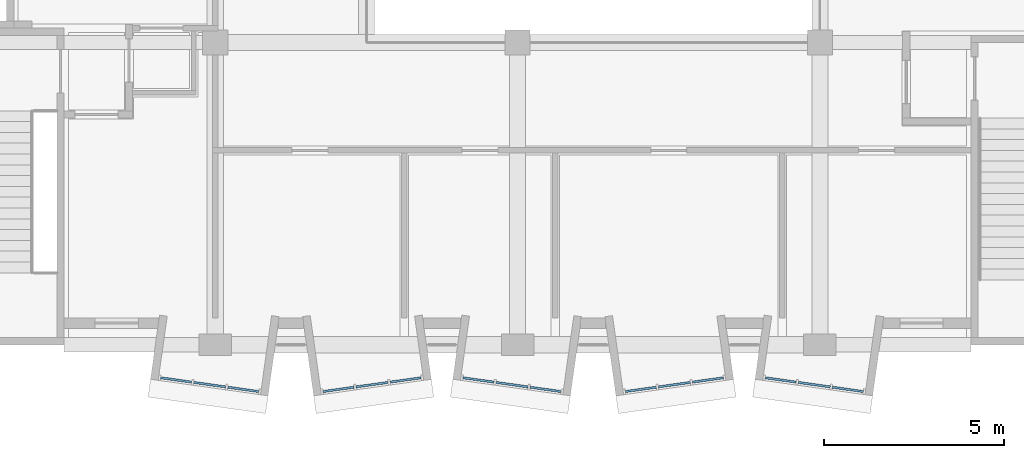
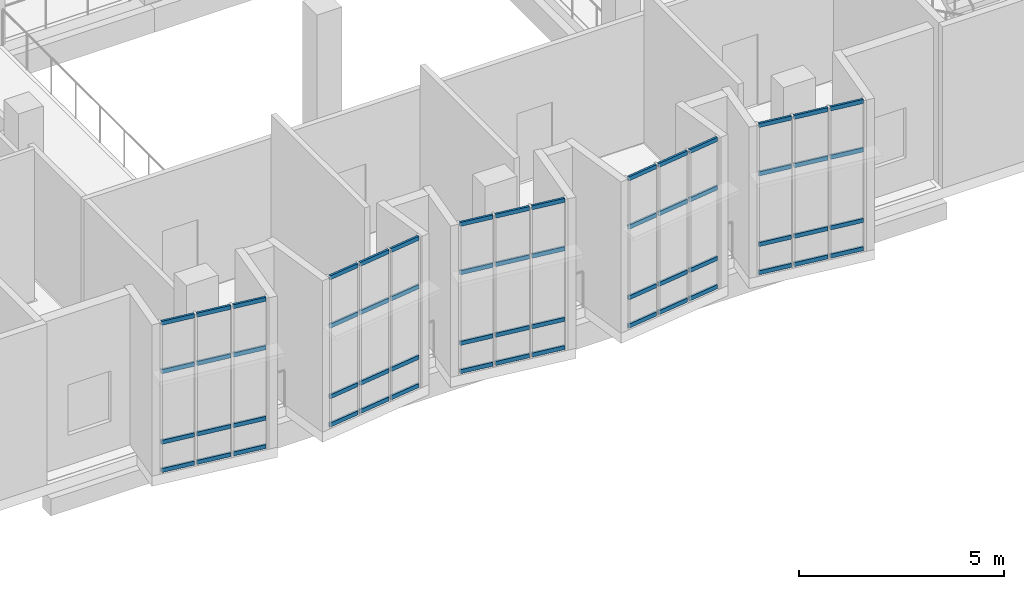
# One storey, part 27 of 67: 60 members, 5 elements without a shape of their own.
"""IFC4 building model written with IfcOpenShell, lengths in metres."""

from ifc_helpers import new_model, si_unit, direction, frame, origin, origin_2d, place, context, subcontext, project, spatial, rectangle, extrude, material, layer, layer_set, material_profile, profile_set, type_object, element, aggregate, save


model = new_model("IFC4")

# Units and contexts
model_context = context("Model", 3, precision=1e-05, world=origin(), true_north=direction((0.0, 1.0)))
body_context = subcontext(model_context, "Body", "Model", "MODEL_VIEW")
ifc_project = project(units=[si_unit("LENGTHUNIT", "METRE"), si_unit("AREAUNIT", "SQUARE_METRE"), si_unit("VOLUMEUNIT", "CUBIC_METRE"), si_unit("PLANEANGLEUNIT", "RADIAN"), si_unit("MASSUNIT", "GRAM", prefix="KILO")], contexts=[model_context])

# Site, building, storey
site_placement = place(None, origin())
site = spatial("IfcSite", under=ifc_project, at=site_placement, CompositionType="ELEMENT")
building_placement = place(site_placement, origin())
building = spatial("IfcBuilding", under=site, at=building_placement, Name="Kiln Court Media Centre", CompositionType="ELEMENT")
storey_placement = place(building_placement, frame((0.0, 0.0, 19.800048828125)))
storey = spatial("IfcBuildingStorey", under=building, at=storey_placement, Name="L04", CompositionType="ELEMENT", Elevation=19.800048828125)

# Curtain wall, members
ifc_material_1 = material(Name="Aluminium 6063-T6", Category="aluminium")
ifc_layer = layer(ifc_material_1, 0.1201171875)
ifc_layer_set = layer_set([ifc_layer], Name="Aluminium unitised bay curtain wall")
curtain_wall_type = type_object("IfcCurtainWallType", Name="Aluminium unitised bay curtain wall", PredefinedType="USERDEFINED", material=ifc_layer_set)
curtain_wall_1_placement = place(storey_placement, origin())
curtain_wall_1 = element("IfcCurtainWall", 1, at=curtain_wall_1_placement, inside=storey, type_object=curtain_wall_type, Name="BAY V6A-S-L04-25 front", ObjectType="UNITISED CURTAIN WALL", PredefinedType="USERDEFINED")
ifc_material_2 = material(Name="Aluminium 6063-T6", Category="aluminium")
ifc_material_profile = material_profile(ifc_material_2, rectangle(XDim=0.06005859375, YDim=0.1201171875, at=origin_2d()), Name="Aluminium transom 60x120")
ifc_profile_set = profile_set([ifc_material_profile], Name="Aluminium 6063-T6")
member_type = type_object("IfcMemberType", Name="Aluminium transom 60x120", PredefinedType="USERDEFINED", material=ifc_profile_set)
member_1_placement = place(storey_placement, frame((6.882568359375, -0.917724609375, 0.06005859375), z_axis=(0.990268108888, -0.139172815303, 0.0), x_axis=(0.139172815303, 0.990268108888, 0.0)))
member_1 = element("IfcMember", 2, at=member_1_placement, type_object=member_type, Name="CW4-08 transom 1.1", ObjectType="TRANSOM", PredefinedType="USERDEFINED", context=body_context, shape_type="SweptSolid", body=[
    extrude(rectangle(XDim=0.06005859375, YDim=0.1201171875, at=origin_2d()), origin(), (0.0, 0.0, 1.0), 0.86669921875),
])
member_2_placement = place(storey_placement, frame((6.882568359375, -0.917724609375, 0.89990234375), z_axis=(0.990268108888, -0.139172815303, 0.0), x_axis=(0.139172815303, 0.990268108888, 0.0)))
member_2 = element("IfcMember", 3, at=member_2_placement, type_object=member_type, Name="CW4-08 transom 1.2", ObjectType="TRANSOM", PredefinedType="USERDEFINED", context=body_context, shape_type="SweptSolid", body=[
    extrude(rectangle(XDim=0.06005859375, YDim=0.1201171875, at=origin_2d()), origin(), (0.0, 0.0, 1.0), 0.86669921875),
])
member_3_placement = place(storey_placement, frame((6.882568359375, -0.917724609375, 3.0), z_axis=(0.990268108888, -0.139172815303, 0.0), x_axis=(0.139172815303, 0.990268108888, 0.0)))
member_3 = element("IfcMember", 4, at=member_3_placement, type_object=member_type, Name="CW4-08 transom 1.3", ObjectType="TRANSOM", PredefinedType="USERDEFINED", context=body_context, shape_type="SweptSolid", body=[
    extrude(rectangle(XDim=0.06005859375, YDim=0.1201171875, at=origin_2d()), origin(), (0.0, 0.0, 1.0), 0.86669921875),
])
member_4_placement = place(storey_placement, frame((6.882568359375, -0.917724609375, 4.43994140625), z_axis=(0.990268108888, -0.139172815303, 0.0), x_axis=(0.139172815303, 0.990268108888, 0.0)))
member_4 = element("IfcMember", 5, at=member_4_placement, type_object=member_type, Name="CW4-08 transom 1.4", ObjectType="TRANSOM", PredefinedType="USERDEFINED", context=body_context, shape_type="SweptSolid", body=[
    extrude(rectangle(XDim=0.06005859375, YDim=0.1201171875, at=origin_2d()), origin(), (0.0, 0.0, 1.0), 0.86669921875),
])
member_5_placement = place(storey_placement, frame((7.80029296875, -1.046630859375, 0.06005859375), z_axis=(0.990273584723, -0.13913384707, 0.0), x_axis=(0.13913384707, 0.990273584723, 0.0)))
member_5 = element("IfcMember", 6, at=member_5_placement, type_object=member_type, Name="CW4-08 transom 2.1", ObjectType="TRANSOM", PredefinedType="USERDEFINED", context=body_context, shape_type="SweptSolid", body=[
    extrude(rectangle(XDim=0.06005859375, YDim=0.1201171875, at=origin_2d()), origin(), (0.0, 0.0, 1.0), 0.896728515625),
])
member_6_placement = place(storey_placement, frame((7.80029296875, -1.046630859375, 0.89990234375), z_axis=(0.990273584723, -0.13913384707, 0.0), x_axis=(0.13913384707, 0.990273584723, 0.0)))
member_6 = element("IfcMember", 7, at=member_6_placement, type_object=member_type, Name="CW4-08 transom 2.2", ObjectType="TRANSOM", PredefinedType="USERDEFINED", context=body_context, shape_type="SweptSolid", body=[
    extrude(rectangle(XDim=0.06005859375, YDim=0.1201171875, at=origin_2d()), origin(), (0.0, 0.0, 1.0), 0.896728515625),
])
member_7_placement = place(storey_placement, frame((7.80029296875, -1.046630859375, 3.0), z_axis=(0.990273584723, -0.13913384707, 0.0), x_axis=(0.13913384707, 0.990273584723, 0.0)))
member_7 = element("IfcMember", 8, at=member_7_placement, type_object=member_type, Name="CW4-08 transom 2.3", ObjectType="TRANSOM", PredefinedType="USERDEFINED", context=body_context, shape_type="SweptSolid", body=[
    extrude(rectangle(XDim=0.06005859375, YDim=0.1201171875, at=origin_2d()), origin(), (0.0, 0.0, 1.0), 0.896728515625),
])
member_8_placement = place(storey_placement, frame((7.80029296875, -1.046630859375, 4.43994140625), z_axis=(0.990273584723, -0.13913384707, 0.0), x_axis=(0.13913384707, 0.990273584723, 0.0)))
member_8 = element("IfcMember", 9, at=member_8_placement, type_object=member_type, Name="CW4-08 transom 2.4", ObjectType="TRANSOM", PredefinedType="USERDEFINED", context=body_context, shape_type="SweptSolid", body=[
    extrude(rectangle(XDim=0.06005859375, YDim=0.1201171875, at=origin_2d()), origin(), (0.0, 0.0, 1.0), 0.896728515625),
])
member_9_placement = place(storey_placement, frame((8.74755859375, -1.179931640625, 0.06005859375), z_axis=(0.990268108888, -0.139172815303, 0.0), x_axis=(0.139172815303, 0.990268108888, 0.0)))
member_9 = element("IfcMember", 10, at=member_9_placement, type_object=member_type, Name="CW4-08 transom 3.1", ObjectType="TRANSOM", PredefinedType="USERDEFINED", context=body_context, shape_type="SweptSolid", body=[
    extrude(rectangle(XDim=0.06005859375, YDim=0.1201171875, at=origin_2d()), origin(), (0.0, 0.0, 1.0), 0.86669921875),
])
member_10_placement = place(storey_placement, frame((8.74755859375, -1.179931640625, 0.89990234375), z_axis=(0.990268108888, -0.139172815303, 0.0), x_axis=(0.139172815303, 0.990268108888, 0.0)))
member_10 = element("IfcMember", 11, at=member_10_placement, type_object=member_type, Name="CW4-08 transom 3.2", ObjectType="TRANSOM", PredefinedType="USERDEFINED", context=body_context, shape_type="SweptSolid", body=[
    extrude(rectangle(XDim=0.06005859375, YDim=0.1201171875, at=origin_2d()), origin(), (0.0, 0.0, 1.0), 0.86669921875),
])
member_11_placement = place(storey_placement, frame((8.74755859375, -1.179931640625, 3.0), z_axis=(0.990268108888, -0.139172815303, 0.0), x_axis=(0.139172815303, 0.990268108888, 0.0)))
member_11 = element("IfcMember", 12, at=member_11_placement, type_object=member_type, Name="CW4-08 transom 3.3", ObjectType="TRANSOM", PredefinedType="USERDEFINED", context=body_context, shape_type="SweptSolid", body=[
    extrude(rectangle(XDim=0.06005859375, YDim=0.1201171875, at=origin_2d()), origin(), (0.0, 0.0, 1.0), 0.86669921875),
])
member_12_placement = place(storey_placement, frame((8.74755859375, -1.179931640625, 4.43994140625), z_axis=(0.990268108888, -0.139172815303, 0.0), x_axis=(0.139172815303, 0.990268108888, 0.0)))
member_12 = element("IfcMember", 13, at=member_12_placement, type_object=member_type, Name="CW4-08 transom 3.4", ObjectType="TRANSOM", PredefinedType="USERDEFINED", context=body_context, shape_type="SweptSolid", body=[
    extrude(rectangle(XDim=0.06005859375, YDim=0.1201171875, at=origin_2d()), origin(), (0.0, 0.0, 1.0), 0.86669921875),
])
aggregate(curtain_wall_1, [member_1, member_2, member_3, member_4, member_5, member_6, member_7, member_8, member_9, member_10, member_11, member_12])

curtain_wall_2_placement = place(storey_placement, origin())
curtain_wall_2 = element("IfcCurtainWall", 14, at=curtain_wall_2_placement, inside=storey, type_object=curtain_wall_type, Name="BAY V6A-S-L04-26 front", ObjectType="UNITISED CURTAIN WALL", PredefinedType="USERDEFINED")
member_13_placement = place(storey_placement, frame((11.394287109375, -1.300537109375, 0.06005859375), z_axis=(0.990268108888, 0.139172815303, 0.0), x_axis=(-0.139172815303, 0.990268108888, 0.0)))
member_13 = element("IfcMember", 15, at=member_13_placement, type_object=member_type, Name="CW4-09 transom 1.1", ObjectType="TRANSOM", PredefinedType="USERDEFINED", context=body_context, shape_type="SweptSolid", body=[
    extrude(rectangle(XDim=0.06005859375, YDim=0.1201171875, at=origin_2d()), origin(), (0.0, 0.0, 1.0), 0.86669921875),
])
member_14_placement = place(storey_placement, frame((11.394287109375, -1.300537109375, 0.89990234375), z_axis=(0.990268108888, 0.139172815303, 0.0), x_axis=(-0.139172815303, 0.990268108888, 0.0)))
member_14 = element("IfcMember", 16, at=member_14_placement, type_object=member_type, Name="CW4-09 transom 1.2", ObjectType="TRANSOM", PredefinedType="USERDEFINED", context=body_context, shape_type="SweptSolid", body=[
    extrude(rectangle(XDim=0.06005859375, YDim=0.1201171875, at=origin_2d()), origin(), (0.0, 0.0, 1.0), 0.86669921875),
])
member_15_placement = place(storey_placement, frame((11.394287109375, -1.300537109375, 3.0), z_axis=(0.990268108888, 0.139172815303, 0.0), x_axis=(-0.139172815303, 0.990268108888, 0.0)))
member_15 = element("IfcMember", 17, at=member_15_placement, type_object=member_type, Name="CW4-09 transom 1.3", ObjectType="TRANSOM", PredefinedType="USERDEFINED", context=body_context, shape_type="SweptSolid", body=[
    extrude(rectangle(XDim=0.06005859375, YDim=0.1201171875, at=origin_2d()), origin(), (0.0, 0.0, 1.0), 0.86669921875),
])
member_16_placement = place(storey_placement, frame((11.394287109375, -1.300537109375, 4.43994140625), z_axis=(0.990268108888, 0.139172815303, 0.0), x_axis=(-0.139172815303, 0.990268108888, 0.0)))
member_16 = element("IfcMember", 18, at=member_16_placement, type_object=member_type, Name="CW4-09 transom 1.4", ObjectType="TRANSOM", PredefinedType="USERDEFINED", context=body_context, shape_type="SweptSolid", body=[
    extrude(rectangle(XDim=0.06005859375, YDim=0.1201171875, at=origin_2d()), origin(), (0.0, 0.0, 1.0), 0.86669921875),
])
member_17_placement = place(storey_placement, frame((12.311767578125, -1.17138671875, 0.06005859375), z_axis=(0.990273584723, 0.13913384707, 0.0), x_axis=(-0.13913384707, 0.990273584723, 0.0)))
member_17 = element("IfcMember", 19, at=member_17_placement, type_object=member_type, Name="CW4-09 transom 2.1", ObjectType="TRANSOM", PredefinedType="USERDEFINED", context=body_context, shape_type="SweptSolid", body=[
    extrude(rectangle(XDim=0.06005859375, YDim=0.1201171875, at=origin_2d()), origin(), (0.0, 0.0, 1.0), 0.896728515625),
])
member_18_placement = place(storey_placement, frame((12.311767578125, -1.17138671875, 0.89990234375), z_axis=(0.990273584723, 0.13913384707, 0.0), x_axis=(-0.13913384707, 0.990273584723, 0.0)))
member_18 = element("IfcMember", 20, at=member_18_placement, type_object=member_type, Name="CW4-09 transom 2.2", ObjectType="TRANSOM", PredefinedType="USERDEFINED", context=body_context, shape_type="SweptSolid", body=[
    extrude(rectangle(XDim=0.06005859375, YDim=0.1201171875, at=origin_2d()), origin(), (0.0, 0.0, 1.0), 0.896728515625),
])
member_19_placement = place(storey_placement, frame((12.311767578125, -1.17138671875, 3.0), z_axis=(0.990273584723, 0.13913384707, 0.0), x_axis=(-0.13913384707, 0.990273584723, 0.0)))
member_19 = element("IfcMember", 21, at=member_19_placement, type_object=member_type, Name="CW4-09 transom 2.3", ObjectType="TRANSOM", PredefinedType="USERDEFINED", context=body_context, shape_type="SweptSolid", body=[
    extrude(rectangle(XDim=0.06005859375, YDim=0.1201171875, at=origin_2d()), origin(), (0.0, 0.0, 1.0), 0.896728515625),
])
member_20_placement = place(storey_placement, frame((12.311767578125, -1.17138671875, 4.43994140625), z_axis=(0.990273584723, 0.13913384707, 0.0), x_axis=(-0.13913384707, 0.990273584723, 0.0)))
member_20 = element("IfcMember", 22, at=member_20_placement, type_object=member_type, Name="CW4-09 transom 2.4", ObjectType="TRANSOM", PredefinedType="USERDEFINED", context=body_context, shape_type="SweptSolid", body=[
    extrude(rectangle(XDim=0.06005859375, YDim=0.1201171875, at=origin_2d()), origin(), (0.0, 0.0, 1.0), 0.896728515625),
])
member_21_placement = place(storey_placement, frame((13.25927734375, -1.038330078125, 0.06005859375), z_axis=(0.990268108888, 0.139172815303, 0.0), x_axis=(-0.139172815303, 0.990268108888, 0.0)))
member_21 = element("IfcMember", 23, at=member_21_placement, type_object=member_type, Name="CW4-09 transom 3.1", ObjectType="TRANSOM", PredefinedType="USERDEFINED", context=body_context, shape_type="SweptSolid", body=[
    extrude(rectangle(XDim=0.06005859375, YDim=0.1201171875, at=origin_2d()), origin(), (0.0, 0.0, 1.0), 0.86669921875),
])
member_22_placement = place(storey_placement, frame((13.25927734375, -1.038330078125, 0.89990234375), z_axis=(0.990268108888, 0.139172815303, 0.0), x_axis=(-0.139172815303, 0.990268108888, 0.0)))
member_22 = element("IfcMember", 24, at=member_22_placement, type_object=member_type, Name="CW4-09 transom 3.2", ObjectType="TRANSOM", PredefinedType="USERDEFINED", context=body_context, shape_type="SweptSolid", body=[
    extrude(rectangle(XDim=0.06005859375, YDim=0.1201171875, at=origin_2d()), origin(), (0.0, 0.0, 1.0), 0.86669921875),
])
member_23_placement = place(storey_placement, frame((13.25927734375, -1.038330078125, 3.0), z_axis=(0.990268108888, 0.139172815303, 0.0), x_axis=(-0.139172815303, 0.990268108888, 0.0)))
member_23 = element("IfcMember", 25, at=member_23_placement, type_object=member_type, Name="CW4-09 transom 3.3", ObjectType="TRANSOM", PredefinedType="USERDEFINED", context=body_context, shape_type="SweptSolid", body=[
    extrude(rectangle(XDim=0.06005859375, YDim=0.1201171875, at=origin_2d()), origin(), (0.0, 0.0, 1.0), 0.86669921875),
])
member_24_placement = place(storey_placement, frame((13.25927734375, -1.038330078125, 4.43994140625), z_axis=(0.990268108888, 0.139172815303, 0.0), x_axis=(-0.139172815303, 0.990268108888, 0.0)))
member_24 = element("IfcMember", 26, at=member_24_placement, type_object=member_type, Name="CW4-09 transom 3.4", ObjectType="TRANSOM", PredefinedType="USERDEFINED", context=body_context, shape_type="SweptSolid", body=[
    extrude(rectangle(XDim=0.06005859375, YDim=0.1201171875, at=origin_2d()), origin(), (0.0, 0.0, 1.0), 0.86669921875),
])
aggregate(curtain_wall_2, [member_13, member_14, member_15, member_16, member_17, member_18, member_19, member_20, member_21, member_22, member_23, member_24])

curtain_wall_3_placement = place(storey_placement, origin())
curtain_wall_3 = element("IfcCurtainWall", 27, at=curtain_wall_3_placement, inside=storey, type_object=curtain_wall_type, Name="BAY V6A-S-L04-27 front", ObjectType="UNITISED CURTAIN WALL", PredefinedType="USERDEFINED")
member_25_placement = place(storey_placement, frame((15.282470703125, -0.917724609375, 0.06005859375), z_axis=(0.990273563383, -0.139133998951, 0.0), x_axis=(0.139133998951, 0.990273563383, 0.0)))
member_25 = element("IfcMember", 28, at=member_25_placement, type_object=member_type, Name="CW4-10 transom 1.1", ObjectType="TRANSOM", PredefinedType="USERDEFINED", context=body_context, shape_type="SweptSolid", body=[
    extrude(rectangle(XDim=0.06005859375, YDim=0.1201171875, at=origin_2d()), origin(), (0.0, 0.0, 1.0), 0.866943359375),
])
member_26_placement = place(storey_placement, frame((15.282470703125, -0.917724609375, 0.89990234375), z_axis=(0.990273563383, -0.139133998951, 0.0), x_axis=(0.139133998951, 0.990273563383, 0.0)))
member_26 = element("IfcMember", 29, at=member_26_placement, type_object=member_type, Name="CW4-10 transom 1.2", ObjectType="TRANSOM", PredefinedType="USERDEFINED", context=body_context, shape_type="SweptSolid", body=[
    extrude(rectangle(XDim=0.06005859375, YDim=0.1201171875, at=origin_2d()), origin(), (0.0, 0.0, 1.0), 0.866943359375),
])
member_27_placement = place(storey_placement, frame((15.282470703125, -0.917724609375, 3.0), z_axis=(0.990273563383, -0.139133998951, 0.0), x_axis=(0.139133998951, 0.990273563383, 0.0)))
member_27 = element("IfcMember", 30, at=member_27_placement, type_object=member_type, Name="CW4-10 transom 1.3", ObjectType="TRANSOM", PredefinedType="USERDEFINED", context=body_context, shape_type="SweptSolid", body=[
    extrude(rectangle(XDim=0.06005859375, YDim=0.1201171875, at=origin_2d()), origin(), (0.0, 0.0, 1.0), 0.866943359375),
])
member_28_placement = place(storey_placement, frame((15.282470703125, -0.917724609375, 4.43994140625), z_axis=(0.990273563383, -0.139133998951, 0.0), x_axis=(0.139133998951, 0.990273563383, 0.0)))
member_28 = element("IfcMember", 31, at=member_28_placement, type_object=member_type, Name="CW4-10 transom 1.4", ObjectType="TRANSOM", PredefinedType="USERDEFINED", context=body_context, shape_type="SweptSolid", body=[
    extrude(rectangle(XDim=0.06005859375, YDim=0.1201171875, at=origin_2d()), origin(), (0.0, 0.0, 1.0), 0.866943359375),
])
member_29_placement = place(storey_placement, frame((16.2001953125, -1.046630859375, 0.06005859375), z_axis=(0.990273584723, -0.13913384707, 0.0), x_axis=(0.13913384707, 0.990273584723, 0.0)))
member_29 = element("IfcMember", 32, at=member_29_placement, type_object=member_type, Name="CW4-10 transom 2.1", ObjectType="TRANSOM", PredefinedType="USERDEFINED", context=body_context, shape_type="SweptSolid", body=[
    extrude(rectangle(XDim=0.06005859375, YDim=0.1201171875, at=origin_2d()), origin(), (0.0, 0.0, 1.0), 0.896728515625),
])
member_30_placement = place(storey_placement, frame((16.2001953125, -1.046630859375, 0.89990234375), z_axis=(0.990273584723, -0.13913384707, 0.0), x_axis=(0.13913384707, 0.990273584723, 0.0)))
member_30 = element("IfcMember", 33, at=member_30_placement, type_object=member_type, Name="CW4-10 transom 2.2", ObjectType="TRANSOM", PredefinedType="USERDEFINED", context=body_context, shape_type="SweptSolid", body=[
    extrude(rectangle(XDim=0.06005859375, YDim=0.1201171875, at=origin_2d()), origin(), (0.0, 0.0, 1.0), 0.896728515625),
])
member_31_placement = place(storey_placement, frame((16.2001953125, -1.046630859375, 3.0), z_axis=(0.990273584723, -0.13913384707, 0.0), x_axis=(0.13913384707, 0.990273584723, 0.0)))
member_31 = element("IfcMember", 34, at=member_31_placement, type_object=member_type, Name="CW4-10 transom 2.3", ObjectType="TRANSOM", PredefinedType="USERDEFINED", context=body_context, shape_type="SweptSolid", body=[
    extrude(rectangle(XDim=0.06005859375, YDim=0.1201171875, at=origin_2d()), origin(), (0.0, 0.0, 1.0), 0.896728515625),
])
member_32_placement = place(storey_placement, frame((16.2001953125, -1.046630859375, 4.43994140625), z_axis=(0.990273584723, -0.13913384707, 0.0), x_axis=(0.13913384707, 0.990273584723, 0.0)))
member_32 = element("IfcMember", 35, at=member_32_placement, type_object=member_type, Name="CW4-10 transom 2.4", ObjectType="TRANSOM", PredefinedType="USERDEFINED", context=body_context, shape_type="SweptSolid", body=[
    extrude(rectangle(XDim=0.06005859375, YDim=0.1201171875, at=origin_2d()), origin(), (0.0, 0.0, 1.0), 0.896728515625),
])
member_33_placement = place(storey_placement, frame((17.1474609375, -1.179931640625, 0.06005859375), z_axis=(0.990273563383, -0.139133998951, 0.0), x_axis=(0.139133998951, 0.990273563383, 0.0)))
member_33 = element("IfcMember", 36, at=member_33_placement, type_object=member_type, Name="CW4-10 transom 3.1", ObjectType="TRANSOM", PredefinedType="USERDEFINED", context=body_context, shape_type="SweptSolid", body=[
    extrude(rectangle(XDim=0.06005859375, YDim=0.1201171875, at=origin_2d()), origin(), (0.0, 0.0, 1.0), 0.866943359375),
])
member_34_placement = place(storey_placement, frame((17.1474609375, -1.179931640625, 0.89990234375), z_axis=(0.990273563383, -0.139133998951, 0.0), x_axis=(0.139133998951, 0.990273563383, 0.0)))
member_34 = element("IfcMember", 37, at=member_34_placement, type_object=member_type, Name="CW4-10 transom 3.2", ObjectType="TRANSOM", PredefinedType="USERDEFINED", context=body_context, shape_type="SweptSolid", body=[
    extrude(rectangle(XDim=0.06005859375, YDim=0.1201171875, at=origin_2d()), origin(), (0.0, 0.0, 1.0), 0.866943359375),
])
member_35_placement = place(storey_placement, frame((17.1474609375, -1.179931640625, 3.0), z_axis=(0.990273563383, -0.139133998951, 0.0), x_axis=(0.139133998951, 0.990273563383, 0.0)))
member_35 = element("IfcMember", 38, at=member_35_placement, type_object=member_type, Name="CW4-10 transom 3.3", ObjectType="TRANSOM", PredefinedType="USERDEFINED", context=body_context, shape_type="SweptSolid", body=[
    extrude(rectangle(XDim=0.06005859375, YDim=0.1201171875, at=origin_2d()), origin(), (0.0, 0.0, 1.0), 0.866943359375),
])
member_36_placement = place(storey_placement, frame((17.1474609375, -1.179931640625, 4.43994140625), z_axis=(0.990273563383, -0.139133998951, 0.0), x_axis=(0.139133998951, 0.990273563383, 0.0)))
member_36 = element("IfcMember", 39, at=member_36_placement, type_object=member_type, Name="CW4-10 transom 3.4", ObjectType="TRANSOM", PredefinedType="USERDEFINED", context=body_context, shape_type="SweptSolid", body=[
    extrude(rectangle(XDim=0.06005859375, YDim=0.1201171875, at=origin_2d()), origin(), (0.0, 0.0, 1.0), 0.866943359375),
])
aggregate(curtain_wall_3, [member_25, member_26, member_27, member_28, member_29, member_30, member_31, member_32, member_33, member_34, member_35, member_36])

curtain_wall_4_placement = place(storey_placement, origin())
curtain_wall_4 = element("IfcCurtainWall", 40, at=curtain_wall_4_placement, inside=storey, type_object=curtain_wall_type, Name="BAY V6A-S-L04-28 front", ObjectType="UNITISED CURTAIN WALL", PredefinedType="USERDEFINED")
member_37_placement = place(storey_placement, frame((19.794189453125, -1.300537109375, 0.06005859375), z_axis=(0.990268108888, 0.139172815303, 0.0), x_axis=(-0.139172815303, 0.990268108888, 0.0)))
member_37 = element("IfcMember", 41, at=member_37_placement, type_object=member_type, Name="CW4-11 transom 1.1", ObjectType="TRANSOM", PredefinedType="USERDEFINED", context=body_context, shape_type="SweptSolid", body=[
    extrude(rectangle(XDim=0.06005859375, YDim=0.1201171875, at=origin_2d()), origin(), (0.0, 0.0, 1.0), 0.86669921875),
])
member_38_placement = place(storey_placement, frame((19.794189453125, -1.300537109375, 0.89990234375), z_axis=(0.990268108888, 0.139172815303, 0.0), x_axis=(-0.139172815303, 0.990268108888, 0.0)))
member_38 = element("IfcMember", 42, at=member_38_placement, type_object=member_type, Name="CW4-11 transom 1.2", ObjectType="TRANSOM", PredefinedType="USERDEFINED", context=body_context, shape_type="SweptSolid", body=[
    extrude(rectangle(XDim=0.06005859375, YDim=0.1201171875, at=origin_2d()), origin(), (0.0, 0.0, 1.0), 0.86669921875),
])
member_39_placement = place(storey_placement, frame((19.794189453125, -1.300537109375, 3.0), z_axis=(0.990268108888, 0.139172815303, 0.0), x_axis=(-0.139172815303, 0.990268108888, 0.0)))
member_39 = element("IfcMember", 43, at=member_39_placement, type_object=member_type, Name="CW4-11 transom 1.3", ObjectType="TRANSOM", PredefinedType="USERDEFINED", context=body_context, shape_type="SweptSolid", body=[
    extrude(rectangle(XDim=0.06005859375, YDim=0.1201171875, at=origin_2d()), origin(), (0.0, 0.0, 1.0), 0.86669921875),
])
member_40_placement = place(storey_placement, frame((19.794189453125, -1.300537109375, 4.43994140625), z_axis=(0.990268108888, 0.139172815303, 0.0), x_axis=(-0.139172815303, 0.990268108888, 0.0)))
member_40 = element("IfcMember", 44, at=member_40_placement, type_object=member_type, Name="CW4-11 transom 1.4", ObjectType="TRANSOM", PredefinedType="USERDEFINED", context=body_context, shape_type="SweptSolid", body=[
    extrude(rectangle(XDim=0.06005859375, YDim=0.1201171875, at=origin_2d()), origin(), (0.0, 0.0, 1.0), 0.86669921875),
])
member_41_placement = place(storey_placement, frame((20.7119140625, -1.17138671875, 0.06005859375), z_axis=(0.990273584723, 0.13913384707, 0.0), x_axis=(-0.13913384707, 0.990273584723, 0.0)))
member_41 = element("IfcMember", 45, at=member_41_placement, type_object=member_type, Name="CW4-11 transom 2.1", ObjectType="TRANSOM", PredefinedType="USERDEFINED", context=body_context, shape_type="SweptSolid", body=[
    extrude(rectangle(XDim=0.06005859375, YDim=0.1201171875, at=origin_2d()), origin(), (0.0, 0.0, 1.0), 0.896728515625),
])
member_42_placement = place(storey_placement, frame((20.7119140625, -1.17138671875, 0.89990234375), z_axis=(0.990273584723, 0.13913384707, 0.0), x_axis=(-0.13913384707, 0.990273584723, 0.0)))
member_42 = element("IfcMember", 46, at=member_42_placement, type_object=member_type, Name="CW4-11 transom 2.2", ObjectType="TRANSOM", PredefinedType="USERDEFINED", context=body_context, shape_type="SweptSolid", body=[
    extrude(rectangle(XDim=0.06005859375, YDim=0.1201171875, at=origin_2d()), origin(), (0.0, 0.0, 1.0), 0.896728515625),
])
member_43_placement = place(storey_placement, frame((20.7119140625, -1.17138671875, 3.0), z_axis=(0.990273584723, 0.13913384707, 0.0), x_axis=(-0.13913384707, 0.990273584723, 0.0)))
member_43 = element("IfcMember", 47, at=member_43_placement, type_object=member_type, Name="CW4-11 transom 2.3", ObjectType="TRANSOM", PredefinedType="USERDEFINED", context=body_context, shape_type="SweptSolid", body=[
    extrude(rectangle(XDim=0.06005859375, YDim=0.1201171875, at=origin_2d()), origin(), (0.0, 0.0, 1.0), 0.896728515625),
])
member_44_placement = place(storey_placement, frame((20.7119140625, -1.17138671875, 4.43994140625), z_axis=(0.990273584723, 0.13913384707, 0.0), x_axis=(-0.13913384707, 0.990273584723, 0.0)))
member_44 = element("IfcMember", 48, at=member_44_placement, type_object=member_type, Name="CW4-11 transom 2.4", ObjectType="TRANSOM", PredefinedType="USERDEFINED", context=body_context, shape_type="SweptSolid", body=[
    extrude(rectangle(XDim=0.06005859375, YDim=0.1201171875, at=origin_2d()), origin(), (0.0, 0.0, 1.0), 0.896728515625),
])
member_45_placement = place(storey_placement, frame((21.6591796875, -1.038330078125, 0.06005859375), z_axis=(0.990273563383, 0.139133998951, 0.0), x_axis=(-0.139133998951, 0.990273563383, 0.0)))
member_45 = element("IfcMember", 49, at=member_45_placement, type_object=member_type, Name="CW4-11 transom 3.1", ObjectType="TRANSOM", PredefinedType="USERDEFINED", context=body_context, shape_type="SweptSolid", body=[
    extrude(rectangle(XDim=0.06005859375, YDim=0.1201171875, at=origin_2d()), origin(), (0.0, 0.0, 1.0), 0.866943359375),
])
member_46_placement = place(storey_placement, frame((21.6591796875, -1.038330078125, 0.89990234375), z_axis=(0.990273563383, 0.139133998951, 0.0), x_axis=(-0.139133998951, 0.990273563383, 0.0)))
member_46 = element("IfcMember", 50, at=member_46_placement, type_object=member_type, Name="CW4-11 transom 3.2", ObjectType="TRANSOM", PredefinedType="USERDEFINED", context=body_context, shape_type="SweptSolid", body=[
    extrude(rectangle(XDim=0.06005859375, YDim=0.1201171875, at=origin_2d()), origin(), (0.0, 0.0, 1.0), 0.866943359375),
])
member_47_placement = place(storey_placement, frame((21.6591796875, -1.038330078125, 3.0), z_axis=(0.990273563383, 0.139133998951, 0.0), x_axis=(-0.139133998951, 0.990273563383, 0.0)))
member_47 = element("IfcMember", 51, at=member_47_placement, type_object=member_type, Name="CW4-11 transom 3.3", ObjectType="TRANSOM", PredefinedType="USERDEFINED", context=body_context, shape_type="SweptSolid", body=[
    extrude(rectangle(XDim=0.06005859375, YDim=0.1201171875, at=origin_2d()), origin(), (0.0, 0.0, 1.0), 0.866943359375),
])
member_48_placement = place(storey_placement, frame((21.6591796875, -1.038330078125, 4.43994140625), z_axis=(0.990273563383, 0.139133998951, 0.0), x_axis=(-0.139133998951, 0.990273563383, 0.0)))
member_48 = element("IfcMember", 52, at=member_48_placement, type_object=member_type, Name="CW4-11 transom 3.4", ObjectType="TRANSOM", PredefinedType="USERDEFINED", context=body_context, shape_type="SweptSolid", body=[
    extrude(rectangle(XDim=0.06005859375, YDim=0.1201171875, at=origin_2d()), origin(), (0.0, 0.0, 1.0), 0.866943359375),
])
aggregate(curtain_wall_4, [member_37, member_38, member_39, member_40, member_41, member_42, member_43, member_44, member_45, member_46, member_47, member_48])

curtain_wall_5_placement = place(storey_placement, origin())
curtain_wall_5 = element("IfcCurtainWall", 53, at=curtain_wall_5_placement, inside=storey, type_object=curtain_wall_type, Name="BAY V6A-S-L04-29 front", ObjectType="UNITISED CURTAIN WALL", PredefinedType="USERDEFINED")
member_49_placement = place(storey_placement, frame((23.6826171875, -0.917724609375, 0.06005859375), z_axis=(0.990268108888, -0.139172815303, 0.0), x_axis=(0.139172815303, 0.990268108888, 0.0)))
member_49 = element("IfcMember", 54, at=member_49_placement, type_object=member_type, Name="CW4-12 transom 1.1", ObjectType="TRANSOM", PredefinedType="USERDEFINED", context=body_context, shape_type="SweptSolid", body=[
    extrude(rectangle(XDim=0.06005859375, YDim=0.1201171875, at=origin_2d()), origin(), (0.0, 0.0, 1.0), 0.86669921875),
])
member_50_placement = place(storey_placement, frame((23.6826171875, -0.917724609375, 0.89990234375), z_axis=(0.990268108888, -0.139172815303, 0.0), x_axis=(0.139172815303, 0.990268108888, 0.0)))
member_50 = element("IfcMember", 55, at=member_50_placement, type_object=member_type, Name="CW4-12 transom 1.2", ObjectType="TRANSOM", PredefinedType="USERDEFINED", context=body_context, shape_type="SweptSolid", body=[
    extrude(rectangle(XDim=0.06005859375, YDim=0.1201171875, at=origin_2d()), origin(), (0.0, 0.0, 1.0), 0.86669921875),
])
member_51_placement = place(storey_placement, frame((23.6826171875, -0.917724609375, 3.0), z_axis=(0.990268108888, -0.139172815303, 0.0), x_axis=(0.139172815303, 0.990268108888, 0.0)))
member_51 = element("IfcMember", 56, at=member_51_placement, type_object=member_type, Name="CW4-12 transom 1.3", ObjectType="TRANSOM", PredefinedType="USERDEFINED", context=body_context, shape_type="SweptSolid", body=[
    extrude(rectangle(XDim=0.06005859375, YDim=0.1201171875, at=origin_2d()), origin(), (0.0, 0.0, 1.0), 0.86669921875),
])
member_52_placement = place(storey_placement, frame((23.6826171875, -0.917724609375, 4.43994140625), z_axis=(0.990268108888, -0.139172815303, 0.0), x_axis=(0.139172815303, 0.990268108888, 0.0)))
member_52 = element("IfcMember", 57, at=member_52_placement, type_object=member_type, Name="CW4-12 transom 1.4", ObjectType="TRANSOM", PredefinedType="USERDEFINED", context=body_context, shape_type="SweptSolid", body=[
    extrude(rectangle(XDim=0.06005859375, YDim=0.1201171875, at=origin_2d()), origin(), (0.0, 0.0, 1.0), 0.86669921875),
])
member_53_placement = place(storey_placement, frame((24.60009765625, -1.046630859375, 0.06005859375), z_axis=(0.990273584723, -0.13913384707, 0.0), x_axis=(0.13913384707, 0.990273584723, 0.0)))
member_53 = element("IfcMember", 58, at=member_53_placement, type_object=member_type, Name="CW4-12 transom 2.1", ObjectType="TRANSOM", PredefinedType="USERDEFINED", context=body_context, shape_type="SweptSolid", body=[
    extrude(rectangle(XDim=0.06005859375, YDim=0.1201171875, at=origin_2d()), origin(), (0.0, 0.0, 1.0), 0.896728515625),
])
member_54_placement = place(storey_placement, frame((24.60009765625, -1.046630859375, 0.89990234375), z_axis=(0.990273584723, -0.13913384707, 0.0), x_axis=(0.13913384707, 0.990273584723, 0.0)))
member_54 = element("IfcMember", 59, at=member_54_placement, type_object=member_type, Name="CW4-12 transom 2.2", ObjectType="TRANSOM", PredefinedType="USERDEFINED", context=body_context, shape_type="SweptSolid", body=[
    extrude(rectangle(XDim=0.06005859375, YDim=0.1201171875, at=origin_2d()), origin(), (0.0, 0.0, 1.0), 0.896728515625),
])
member_55_placement = place(storey_placement, frame((24.60009765625, -1.046630859375, 3.0), z_axis=(0.990273584723, -0.13913384707, 0.0), x_axis=(0.13913384707, 0.990273584723, 0.0)))
member_55 = element("IfcMember", 60, at=member_55_placement, type_object=member_type, Name="CW4-12 transom 2.3", ObjectType="TRANSOM", PredefinedType="USERDEFINED", context=body_context, shape_type="SweptSolid", body=[
    extrude(rectangle(XDim=0.06005859375, YDim=0.1201171875, at=origin_2d()), origin(), (0.0, 0.0, 1.0), 0.896728515625),
])
member_56_placement = place(storey_placement, frame((24.60009765625, -1.046630859375, 4.43994140625), z_axis=(0.990273584723, -0.13913384707, 0.0), x_axis=(0.13913384707, 0.990273584723, 0.0)))
member_56 = element("IfcMember", 61, at=member_56_placement, type_object=member_type, Name="CW4-12 transom 2.4", ObjectType="TRANSOM", PredefinedType="USERDEFINED", context=body_context, shape_type="SweptSolid", body=[
    extrude(rectangle(XDim=0.06005859375, YDim=0.1201171875, at=origin_2d()), origin(), (0.0, 0.0, 1.0), 0.896728515625),
])
member_57_placement = place(storey_placement, frame((25.547607421875, -1.179931640625, 0.06005859375), z_axis=(0.990268108888, -0.139172815303, 0.0), x_axis=(0.139172815303, 0.990268108888, 0.0)))
member_57 = element("IfcMember", 62, at=member_57_placement, type_object=member_type, Name="CW4-12 transom 3.1", ObjectType="TRANSOM", PredefinedType="USERDEFINED", context=body_context, shape_type="SweptSolid", body=[
    extrude(rectangle(XDim=0.06005859375, YDim=0.1201171875, at=origin_2d()), origin(), (0.0, 0.0, 1.0), 0.86669921875),
])
member_58_placement = place(storey_placement, frame((25.547607421875, -1.179931640625, 0.89990234375), z_axis=(0.990268108888, -0.139172815303, 0.0), x_axis=(0.139172815303, 0.990268108888, 0.0)))
member_58 = element("IfcMember", 63, at=member_58_placement, type_object=member_type, Name="CW4-12 transom 3.2", ObjectType="TRANSOM", PredefinedType="USERDEFINED", context=body_context, shape_type="SweptSolid", body=[
    extrude(rectangle(XDim=0.06005859375, YDim=0.1201171875, at=origin_2d()), origin(), (0.0, 0.0, 1.0), 0.86669921875),
])
member_59_placement = place(storey_placement, frame((25.547607421875, -1.179931640625, 3.0), z_axis=(0.990268108888, -0.139172815303, 0.0), x_axis=(0.139172815303, 0.990268108888, 0.0)))
member_59 = element("IfcMember", 64, at=member_59_placement, type_object=member_type, Name="CW4-12 transom 3.3", ObjectType="TRANSOM", PredefinedType="USERDEFINED", context=body_context, shape_type="SweptSolid", body=[
    extrude(rectangle(XDim=0.06005859375, YDim=0.1201171875, at=origin_2d()), origin(), (0.0, 0.0, 1.0), 0.86669921875),
])
member_60_placement = place(storey_placement, frame((25.547607421875, -1.179931640625, 4.43994140625), z_axis=(0.990268108888, -0.139172815303, 0.0), x_axis=(0.139172815303, 0.990268108888, 0.0)))
member_60 = element("IfcMember", 65, at=member_60_placement, type_object=member_type, Name="CW4-12 transom 3.4", ObjectType="TRANSOM", PredefinedType="USERDEFINED", context=body_context, shape_type="SweptSolid", body=[
    extrude(rectangle(XDim=0.06005859375, YDim=0.1201171875, at=origin_2d()), origin(), (0.0, 0.0, 1.0), 0.86669921875),
])
aggregate(curtain_wall_5, [member_49, member_50, member_51, member_52, member_53, member_54, member_55, member_56, member_57, member_58, member_59, member_60])

save(model, "model.ifc")
